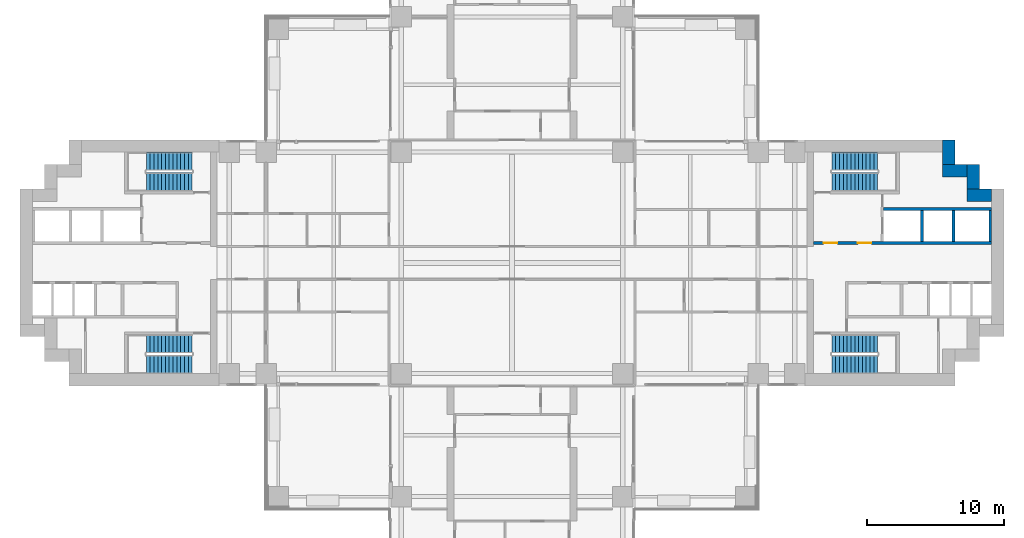
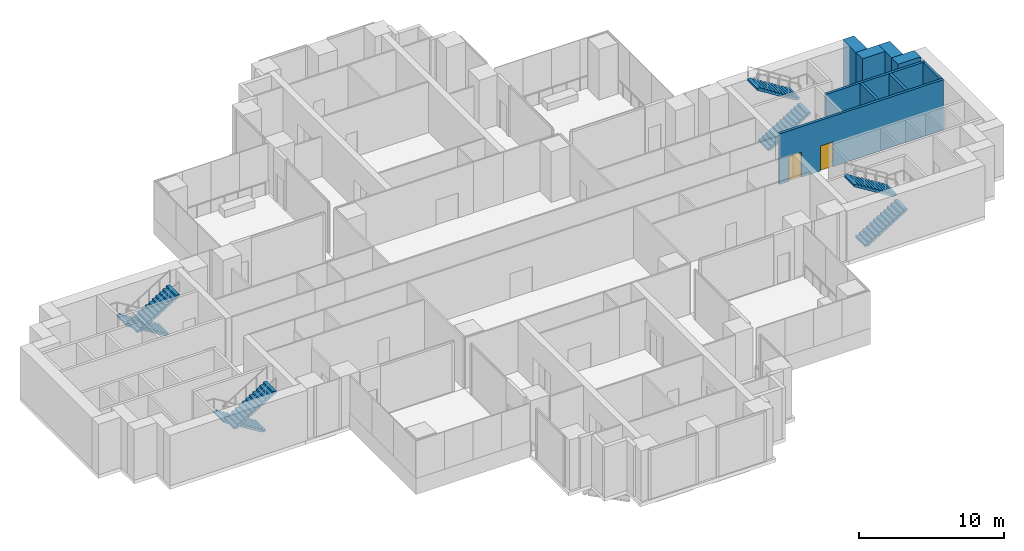
# One storey, part 12 of 15: 9 walls, 8 stair flights, 2 doors, 2 openings, 4 elements without a shape of their own.
"""IFC4 building model written with IfcOpenShell, lengths in metres."""

from ifc_helpers import new_model, si_unit, direction, frame, frame_2d, origin, place, context, subcontext, project, spatial, polyline, rectangle, outline, extrude, material, layer, layer_set, type_object, element, fill, aggregate, save


model = new_model("IFC4")

# Units and contexts
model_context = context("Model", 3, precision=1e-05, world=origin(), true_north=direction((0.0, 1.0)))
body_context = subcontext(model_context, "Body", "Model", "MODEL_VIEW")
ifc_project = project(units=[si_unit("LENGTHUNIT", "METRE"), si_unit("AREAUNIT", "SQUARE_METRE"), si_unit("VOLUMEUNIT", "CUBIC_METRE"), si_unit("PLANEANGLEUNIT", "RADIAN"), si_unit("MASSUNIT", "GRAM", prefix="KILO")], contexts=[model_context])

# Site, building, storey
site_placement = place(None, origin())
site = spatial("IfcSite", under=ifc_project, at=site_placement, CompositionType="ELEMENT")
building_placement = place(site_placement, origin())
building = spatial("IfcBuilding", under=site, at=building_placement, Name="Perihelion Cross Residences", CompositionType="ELEMENT")
storey_placement = place(building_placement, frame((0.0, 0.0, 32.0)))
storey = spatial("IfcBuildingStorey", under=building, at=storey_placement, Name="L04", CompositionType="ELEMENT", Elevation=32.0)

# Walls
ifc_material_1 = material(Name="Concrete C60/75", Category="concrete")
ifc_layer_1 = layer(ifc_material_1, 0.89990234375)
ifc_layer_set_1 = layer_set([ifc_layer_1], Name="Core wall, outer 900")
wall_type_1 = type_object("IfcWallType", Name="Core wall, outer 900", PredefinedType="SHEAR", material=ifc_layer_set_1)
for number, where, z_axis, x_axis, name in (
    (1, (33.300048828125, 4.949951171875, 0.0), (0.0, 0.0, 1.0), (1.0, 0.0, 0.0), "East core core wall, outer"),
    (2, (33.75, 5.39990234375, 0.0), (0.0, 0.0, 1.0), (0.0, 1.0, 0.0), "East core core wall, outer"),
    (3, (31.5, 6.75, 0.0), (0.0, 0.0, 1.0), (1.0, 0.0, 0.0), "East core core wall, outer"),
    (4, (31.949951171875, 7.199951171875, 0.0), (0.0, 0.0, 1.0), (0.0, 1.0, 0.0), "East core core wall, outer"),
):
    element("IfcWall", number, at=place(storey_placement, frame(where, z_axis=z_axis, x_axis=x_axis)), inside=storey, type_object=wall_type_1, Name=name, PredefinedType="SHEAR", context=body_context, shape_type="SweptSolid", body=[
        extrude(rectangle(XDim=1.800048828125, YDim=0.89990234375, at=frame_2d((0.89990234375, 0.0))), origin(), (0.0, 0.0, 1.0), 4.25),
    ])

# Wall, openings, doors
ifc_material_2 = material(Name="Concrete C50/60", Category="concrete")
ifc_layer_2 = layer(ifc_material_2, 0.199951171875)
ifc_layer_set_2 = layer_set([ifc_layer_2], Name="Shaft wall 200")
wall_type_2 = type_object("IfcWallType", Name="Shaft wall 200", PredefinedType="SOLIDWALL", material=ifc_layer_set_2)
wall_1_placement = place(storey_placement, frame((22.050048828125, 1.449951171875, 0.0), z_axis=(0.0, 0.0, 1.0), x_axis=(1.0, 0.0, 0.0)))
wall_1 = element("IfcWall", 5, at=wall_1_placement, inside=storey, type_object=wall_type_2, Name="East core shaft wall", PredefinedType="SOLIDWALL", context=body_context, shape_type="SweptSolid", body=[
    extrude(rectangle(XDim=13.050048828125, YDim=0.199951171875, at=frame_2d((6.52490234375, 0.0))), origin(), (0.0, 0.0, 1.0), 4.25),
])
opening_1_placement = place(wall_1_placement, frame((0.75, 0.0, 0.0)))
opening_1 = element("IfcOpeningElement", 6, at=opening_1_placement, cuts=wall_1, Name="Opening L04.C07", PredefinedType="OPENING", context=body_context, shape_type="SweptSolid", body=[
    extrude(rectangle(XDim=1.0, YDim=2.10009765625, at=frame_2d((0.5, 1.050048828125))), frame((0.0, 0.10986328125, 0.0), z_axis=(0.0, -1.0, 0.0), x_axis=(1.0, 0.0, 0.0)), (0.0, 0.0, 1.0), 0.219970703125),
])
opening_2_placement = place(wall_1_placement, frame((3.25, 0.0, 0.0)))
opening_2 = element("IfcOpeningElement", 7, at=opening_2_placement, cuts=wall_1, Name="Opening L04.C09", PredefinedType="OPENING", context=body_context, shape_type="SweptSolid", body=[
    extrude(rectangle(XDim=1.0, YDim=2.10009765625, at=frame_2d((0.5, 1.050048828125))), frame((0.0, 0.10986328125, 0.0), z_axis=(0.0, -1.0, 0.0), x_axis=(1.0, 0.0, 0.0)), (0.0, 0.0, 1.0), 0.219970703125),
])
ifc_material_3 = material(Name="Steel, powder coated", Category="steel")
door_type = type_object("IfcDoorType", Name="Lobby door 1000", OperationType="SINGLE_SWING_LEFT", PredefinedType="DOOR", material=ifc_material_3)
door_1_placement = place(opening_1_placement, origin())
door_1 = element("IfcDoor", 8, at=door_1_placement, inside=storey, type_object=door_type, Name="East core firefighting lobby door", OperationType="SINGLE_SWING_LEFT", OverallHeight=2.10009765625, OverallWidth=1.0, PredefinedType="DOOR", context=body_context, shape_type="SweptSolid", body=[
    extrude(rectangle(XDim=1.0, YDim=2.10009765625, at=frame_2d((0.5, 1.050048828125))), frame((0.0, 0.02490234375, 0.0), z_axis=(0.0, -1.0, 0.0), x_axis=(1.0, 0.0, 0.0)), (0.0, 0.0, 1.0), 0.050048828125),
])
fill(opening_1, door_1)
door_2_placement = place(opening_2_placement, origin())
door_2 = element("IfcDoor", 9, at=door_2_placement, inside=storey, type_object=door_type, Name="East core firefighting lobby door", OperationType="SINGLE_SWING_LEFT", OverallHeight=2.10009765625, OverallWidth=1.0, PredefinedType="DOOR", context=body_context, shape_type="SweptSolid", body=[
    extrude(rectangle(XDim=1.0, YDim=2.10009765625, at=frame_2d((0.5, 1.050048828125))), frame((0.0, 0.02490234375, 0.0), z_axis=(0.0, -1.0, 0.0), x_axis=(1.0, 0.0, 0.0)), (0.0, 0.0, 1.0), 0.050048828125),
])
fill(opening_2, door_2)

# Walls
wall_2_placement = place(storey_placement, frame((27.199951171875, 3.949951171875, 0.0), z_axis=(0.0, 0.0, 1.0), x_axis=(1.0, 0.0, 0.0)))
element("IfcWall", 10, at=wall_2_placement, inside=storey, type_object=wall_type_2, Name="East core shaft wall", PredefinedType="SOLIDWALL", context=body_context, shape_type="SweptSolid", body=[
    extrude(rectangle(XDim=7.900146484375, YDim=0.199951171875, at=frame_2d((3.9501953125, 0.0))), origin(), (0.0, 0.0, 1.0), 4.25),
])
for number, where, z_axis, x_axis, name in (
    (11, (30.0, 1.550048828125, 0.0), (0.0, 0.0, 1.0), (0.0, 1.0, 0.0), "East core shaft wall"),
    (12, (32.300048828125, 1.550048828125, 0.0), (0.0, 0.0, 1.0), (0.0, 1.0, 0.0), "East core shaft wall"),
    (13, (35.0, 1.550048828125, 0.0), (0.0, 0.0, 1.0), (0.0, 1.0, 0.0), "East core shaft wall"),
):
    element("IfcWall", number, at=place(storey_placement, frame(where, z_axis=z_axis, x_axis=x_axis)), inside=storey, type_object=wall_type_2, Name=name, PredefinedType="SOLIDWALL", context=body_context, shape_type="SweptSolid", body=[
        extrude(rectangle(XDim=2.300048828125, YDim=0.199951171875, at=frame_2d((1.14990234375, 0.0))), origin(), (0.0, 0.0, 1.0), 4.25),
    ])

# Stair, stair flights
ifc_material_4 = material(Name="Concrete C40/50", Category="concrete")
stair_type = type_object("IfcStairType", Name="Exit stair, half-turn", PredefinedType="HALF_TURN_STAIR", material=ifc_material_4)
stair_1_placement = place(storey_placement, origin())
stair_1 = element("IfcStair", 14, at=stair_1_placement, inside=storey, type_object=stair_type, Name="L04 East core exit stair 1", PredefinedType="HALF_TURN_STAIR")
ifc_material_5 = material(Name="Concrete C40/50", Category="concrete")
stair_flight_type = type_object("IfcStairFlightType", Name="Exit stair flight", PredefinedType="STRAIGHT", material=ifc_material_5)
stair_flight_1_placement = place(storey_placement, frame((23.39990234375, 5.925048828125, 0.0), z_axis=(0.0, 0.0, 1.0), x_axis=(1.0, 0.0, 0.0)))
stair_flight_1 = element("IfcStairFlight", 15, at=stair_flight_1_placement, type_object=stair_flight_type, Name="ST-E1 flight 1", NumberOfRisers=13, NumberOfTreads=12, PredefinedType="STRAIGHT", RiserHeight=0.173076923, TreadLength=0.28, context=body_context, shape_type="SweptSolid", body=[
    extrude(outline(polyline([(0.0, 0.0), (0.0, 0.173095703125), (0.280029296875, 0.173095703125), (0.280029296875, 0.34619140625), (0.56005859375, 0.34619140625), (0.56005859375, 0.519287109375), (0.840087890625, 0.519287109375), (0.840087890625, 0.6923828125), (1.1201171875, 0.6923828125), (1.1201171875, 0.865478515625), (1.39990234375, 0.865478515625), (1.39990234375, 1.03857421875), (1.679931640625, 1.03857421875), (1.679931640625, 1.21142578125), (1.9599609375, 1.21142578125), (1.9599609375, 1.384521484375), (2.239990234375, 1.384521484375), (2.239990234375, 1.5576171875), (2.52001953125, 1.5576171875), (2.52001953125, 1.730712890625), (2.800048828125, 1.730712890625), (2.800048828125, 1.90380859375), (3.080078125, 1.90380859375), (3.080078125, 2.076904296875), (3.360107421875, 2.076904296875), (3.360107421875, 2.25), (3.360107421875, 1.900634765625), (0.28515625, 0.0), (0.0, 0.0)])), frame((0.0, 0.675048828125, 0.0), z_axis=(0.0, -1.0, 0.0), x_axis=(1.0, 0.0, 0.0)), (0.0, 0.0, 1.0), 1.35009765625),
])
stair_flight_2_placement = place(storey_placement, frame((26.760009765625, 7.425048828125, 2.25), z_axis=(0.0, 0.0, 1.0), x_axis=(-1.0, 0.0, 0.0)))
stair_flight_2 = element("IfcStairFlight", 16, at=stair_flight_2_placement, type_object=stair_flight_type, Name="ST-E1 flight 2", NumberOfRisers=13, NumberOfTreads=12, PredefinedType="STRAIGHT", RiserHeight=0.173076923, TreadLength=0.28, context=body_context, shape_type="SweptSolid", body=[
    extrude(outline(polyline([(0.0, 0.0), (0.0, 0.173095703125), (0.280029296875, 0.173095703125), (0.280029296875, 0.34619140625), (0.56005859375, 0.34619140625), (0.56005859375, 0.519287109375), (0.840087890625, 0.519287109375), (0.840087890625, 0.6923828125), (1.1201171875, 0.6923828125), (1.1201171875, 0.865478515625), (1.39990234375, 0.865478515625), (1.39990234375, 1.03857421875), (1.679931640625, 1.03857421875), (1.679931640625, 1.21142578125), (1.9599609375, 1.21142578125), (1.9599609375, 1.384521484375), (2.239990234375, 1.384521484375), (2.239990234375, 1.5576171875), (2.52001953125, 1.5576171875), (2.52001953125, 1.730712890625), (2.800048828125, 1.730712890625), (2.800048828125, 1.90380859375), (3.080078125, 1.90380859375), (3.080078125, 2.076904296875), (3.360107421875, 2.076904296875), (3.360107421875, 2.25), (3.360107421875, 1.900634765625), (0.28515625, 0.0), (0.0, 0.0)])), frame((0.0, 0.675048828125, 0.0), z_axis=(0.0, -1.0, 0.0), x_axis=(1.0, 0.0, 0.0)), (0.0, 0.0, 1.0), 1.35009765625),
])
aggregate(stair_1, [stair_flight_1, stair_flight_2])

stair_2_placement = place(storey_placement, origin())
stair_2 = element("IfcStair", 17, at=stair_2_placement, inside=storey, type_object=stair_type, Name="L04 East core exit stair 2", PredefinedType="HALF_TURN_STAIR")
stair_flight_3_placement = place(storey_placement, frame((23.39990234375, -7.425048828125, 0.0), z_axis=(0.0, 0.0, 1.0), x_axis=(1.0, 0.0, 0.0)))
stair_flight_3 = element("IfcStairFlight", 18, at=stair_flight_3_placement, type_object=stair_flight_type, Name="ST-E2 flight 1", NumberOfRisers=13, NumberOfTreads=12, PredefinedType="STRAIGHT", RiserHeight=0.173076923, TreadLength=0.28, context=body_context, shape_type="SweptSolid", body=[
    extrude(outline(polyline([(0.0, 0.0), (0.0, 0.173095703125), (0.280029296875, 0.173095703125), (0.280029296875, 0.34619140625), (0.56005859375, 0.34619140625), (0.56005859375, 0.519287109375), (0.840087890625, 0.519287109375), (0.840087890625, 0.6923828125), (1.1201171875, 0.6923828125), (1.1201171875, 0.865478515625), (1.39990234375, 0.865478515625), (1.39990234375, 1.03857421875), (1.679931640625, 1.03857421875), (1.679931640625, 1.21142578125), (1.9599609375, 1.21142578125), (1.9599609375, 1.384521484375), (2.239990234375, 1.384521484375), (2.239990234375, 1.5576171875), (2.52001953125, 1.5576171875), (2.52001953125, 1.730712890625), (2.800048828125, 1.730712890625), (2.800048828125, 1.90380859375), (3.080078125, 1.90380859375), (3.080078125, 2.076904296875), (3.360107421875, 2.076904296875), (3.360107421875, 2.25), (3.360107421875, 1.900634765625), (0.28515625, 0.0), (0.0, 0.0)])), frame((0.0, 0.675048828125, 0.0), z_axis=(0.0, -1.0, 0.0), x_axis=(1.0, 0.0, 0.0)), (0.0, 0.0, 1.0), 1.35009765625),
])
stair_flight_4_placement = place(storey_placement, frame((26.760009765625, -5.925048828125, 2.25), z_axis=(0.0, 0.0, 1.0), x_axis=(-1.0, 0.0, 0.0)))
stair_flight_4 = element("IfcStairFlight", 19, at=stair_flight_4_placement, type_object=stair_flight_type, Name="ST-E2 flight 2", NumberOfRisers=13, NumberOfTreads=12, PredefinedType="STRAIGHT", RiserHeight=0.173076923, TreadLength=0.28, context=body_context, shape_type="SweptSolid", body=[
    extrude(outline(polyline([(0.0, 0.0), (0.0, 0.173095703125), (0.280029296875, 0.173095703125), (0.280029296875, 0.34619140625), (0.56005859375, 0.34619140625), (0.56005859375, 0.519287109375), (0.840087890625, 0.519287109375), (0.840087890625, 0.6923828125), (1.1201171875, 0.6923828125), (1.1201171875, 0.865478515625), (1.39990234375, 0.865478515625), (1.39990234375, 1.03857421875), (1.679931640625, 1.03857421875), (1.679931640625, 1.21142578125), (1.9599609375, 1.21142578125), (1.9599609375, 1.384521484375), (2.239990234375, 1.384521484375), (2.239990234375, 1.5576171875), (2.52001953125, 1.5576171875), (2.52001953125, 1.730712890625), (2.800048828125, 1.730712890625), (2.800048828125, 1.90380859375), (3.080078125, 1.90380859375), (3.080078125, 2.076904296875), (3.360107421875, 2.076904296875), (3.360107421875, 2.25), (3.360107421875, 1.900634765625), (0.28515625, 0.0), (0.0, 0.0)])), frame((0.0, 0.675048828125, 0.0), z_axis=(0.0, -1.0, 0.0), x_axis=(1.0, 0.0, 0.0)), (0.0, 0.0, 1.0), 1.35009765625),
])
aggregate(stair_2, [stair_flight_3, stair_flight_4])

stair_3_placement = place(storey_placement, origin())
stair_3 = element("IfcStair", 20, at=stair_3_placement, inside=storey, type_object=stair_type, Name="L04 West core exit stair 1", PredefinedType="HALF_TURN_STAIR")
stair_flight_5_placement = place(storey_placement, frame((-23.39990234375, 7.425048828125, 0.0), z_axis=(0.0, 0.0, 1.0), x_axis=(-1.0, 0.0, 0.0)))
stair_flight_5 = element("IfcStairFlight", 21, at=stair_flight_5_placement, type_object=stair_flight_type, Name="ST-W1 flight 1", NumberOfRisers=13, NumberOfTreads=12, PredefinedType="STRAIGHT", RiserHeight=0.173076923, TreadLength=0.28, context=body_context, shape_type="SweptSolid", body=[
    extrude(outline(polyline([(0.0, 0.0), (0.0, 0.173095703125), (0.280029296875, 0.173095703125), (0.280029296875, 0.34619140625), (0.56005859375, 0.34619140625), (0.56005859375, 0.519287109375), (0.840087890625, 0.519287109375), (0.840087890625, 0.6923828125), (1.1201171875, 0.6923828125), (1.1201171875, 0.865478515625), (1.39990234375, 0.865478515625), (1.39990234375, 1.03857421875), (1.679931640625, 1.03857421875), (1.679931640625, 1.21142578125), (1.9599609375, 1.21142578125), (1.9599609375, 1.384521484375), (2.239990234375, 1.384521484375), (2.239990234375, 1.5576171875), (2.52001953125, 1.5576171875), (2.52001953125, 1.730712890625), (2.800048828125, 1.730712890625), (2.800048828125, 1.90380859375), (3.080078125, 1.90380859375), (3.080078125, 2.076904296875), (3.360107421875, 2.076904296875), (3.360107421875, 2.25), (3.360107421875, 1.900634765625), (0.28515625, 0.0), (0.0, 0.0)])), frame((0.0, 0.675048828125, 0.0), z_axis=(0.0, -1.0, 0.0), x_axis=(1.0, 0.0, 0.0)), (0.0, 0.0, 1.0), 1.35009765625),
])
stair_flight_6_placement = place(storey_placement, frame((-26.760009765625, 5.925048828125, 2.25), z_axis=(0.0, 0.0, 1.0), x_axis=(1.0, 0.0, 0.0)))
stair_flight_6 = element("IfcStairFlight", 22, at=stair_flight_6_placement, type_object=stair_flight_type, Name="ST-W1 flight 2", NumberOfRisers=13, NumberOfTreads=12, PredefinedType="STRAIGHT", RiserHeight=0.173076923, TreadLength=0.28, context=body_context, shape_type="SweptSolid", body=[
    extrude(outline(polyline([(0.0, 0.0), (0.0, 0.173095703125), (0.280029296875, 0.173095703125), (0.280029296875, 0.34619140625), (0.56005859375, 0.34619140625), (0.56005859375, 0.519287109375), (0.840087890625, 0.519287109375), (0.840087890625, 0.6923828125), (1.1201171875, 0.6923828125), (1.1201171875, 0.865478515625), (1.39990234375, 0.865478515625), (1.39990234375, 1.03857421875), (1.679931640625, 1.03857421875), (1.679931640625, 1.21142578125), (1.9599609375, 1.21142578125), (1.9599609375, 1.384521484375), (2.239990234375, 1.384521484375), (2.239990234375, 1.5576171875), (2.52001953125, 1.5576171875), (2.52001953125, 1.730712890625), (2.800048828125, 1.730712890625), (2.800048828125, 1.90380859375), (3.080078125, 1.90380859375), (3.080078125, 2.076904296875), (3.360107421875, 2.076904296875), (3.360107421875, 2.25), (3.360107421875, 1.900634765625), (0.28515625, 0.0), (0.0, 0.0)])), frame((0.0, 0.675048828125, 0.0), z_axis=(0.0, -1.0, 0.0), x_axis=(1.0, 0.0, 0.0)), (0.0, 0.0, 1.0), 1.35009765625),
])
aggregate(stair_3, [stair_flight_5, stair_flight_6])

stair_4_placement = place(storey_placement, origin())
stair_4 = element("IfcStair", 23, at=stair_4_placement, inside=storey, type_object=stair_type, Name="L04 West core exit stair 2", PredefinedType="HALF_TURN_STAIR")
stair_flight_7_placement = place(storey_placement, frame((-23.39990234375, -5.925048828125, 0.0), z_axis=(0.0, 0.0, 1.0), x_axis=(-1.0, 0.0, 0.0)))
stair_flight_7 = element("IfcStairFlight", 24, at=stair_flight_7_placement, type_object=stair_flight_type, Name="ST-W2 flight 1", NumberOfRisers=13, NumberOfTreads=12, PredefinedType="STRAIGHT", RiserHeight=0.173076923, TreadLength=0.28, context=body_context, shape_type="SweptSolid", body=[
    extrude(outline(polyline([(0.0, 0.0), (0.0, 0.173095703125), (0.280029296875, 0.173095703125), (0.280029296875, 0.34619140625), (0.56005859375, 0.34619140625), (0.56005859375, 0.519287109375), (0.840087890625, 0.519287109375), (0.840087890625, 0.6923828125), (1.1201171875, 0.6923828125), (1.1201171875, 0.865478515625), (1.39990234375, 0.865478515625), (1.39990234375, 1.03857421875), (1.679931640625, 1.03857421875), (1.679931640625, 1.21142578125), (1.9599609375, 1.21142578125), (1.9599609375, 1.384521484375), (2.239990234375, 1.384521484375), (2.239990234375, 1.5576171875), (2.52001953125, 1.5576171875), (2.52001953125, 1.730712890625), (2.800048828125, 1.730712890625), (2.800048828125, 1.90380859375), (3.080078125, 1.90380859375), (3.080078125, 2.076904296875), (3.360107421875, 2.076904296875), (3.360107421875, 2.25), (3.360107421875, 1.900634765625), (0.28515625, 0.0), (0.0, 0.0)])), frame((0.0, 0.675048828125, 0.0), z_axis=(0.0, -1.0, 0.0), x_axis=(1.0, 0.0, 0.0)), (0.0, 0.0, 1.0), 1.35009765625),
])
stair_flight_8_placement = place(storey_placement, frame((-26.760009765625, -7.425048828125, 2.25), z_axis=(0.0, 0.0, 1.0), x_axis=(1.0, 0.0, 0.0)))
stair_flight_8 = element("IfcStairFlight", 25, at=stair_flight_8_placement, type_object=stair_flight_type, Name="ST-W2 flight 2", NumberOfRisers=13, NumberOfTreads=12, PredefinedType="STRAIGHT", RiserHeight=0.173076923, TreadLength=0.28, context=body_context, shape_type="SweptSolid", body=[
    extrude(outline(polyline([(0.0, 0.0), (0.0, 0.173095703125), (0.280029296875, 0.173095703125), (0.280029296875, 0.34619140625), (0.56005859375, 0.34619140625), (0.56005859375, 0.519287109375), (0.840087890625, 0.519287109375), (0.840087890625, 0.6923828125), (1.1201171875, 0.6923828125), (1.1201171875, 0.865478515625), (1.39990234375, 0.865478515625), (1.39990234375, 1.03857421875), (1.679931640625, 1.03857421875), (1.679931640625, 1.21142578125), (1.9599609375, 1.21142578125), (1.9599609375, 1.384521484375), (2.239990234375, 1.384521484375), (2.239990234375, 1.5576171875), (2.52001953125, 1.5576171875), (2.52001953125, 1.730712890625), (2.800048828125, 1.730712890625), (2.800048828125, 1.90380859375), (3.080078125, 1.90380859375), (3.080078125, 2.076904296875), (3.360107421875, 2.076904296875), (3.360107421875, 2.25), (3.360107421875, 1.900634765625), (0.28515625, 0.0), (0.0, 0.0)])), frame((0.0, 0.675048828125, 0.0), z_axis=(0.0, -1.0, 0.0), x_axis=(1.0, 0.0, 0.0)), (0.0, 0.0, 1.0), 1.35009765625),
])
aggregate(stair_4, [stair_flight_7, stair_flight_8])

save(model, "model.ifc")
